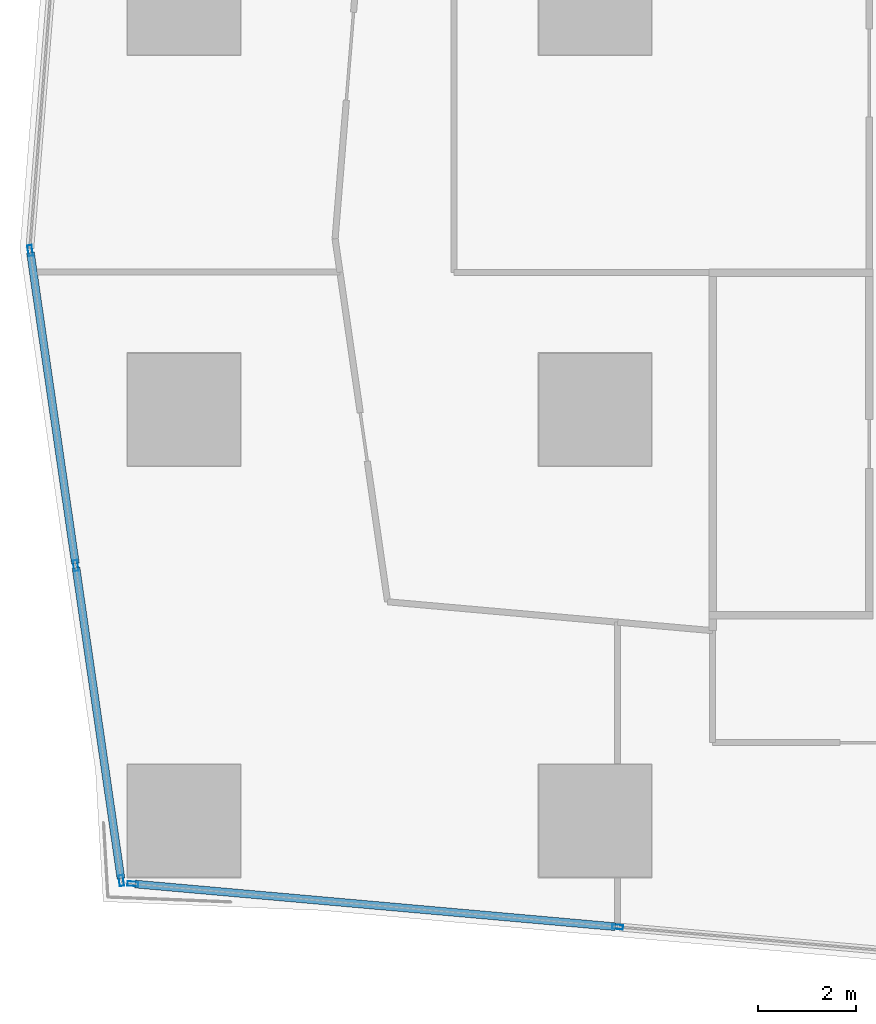
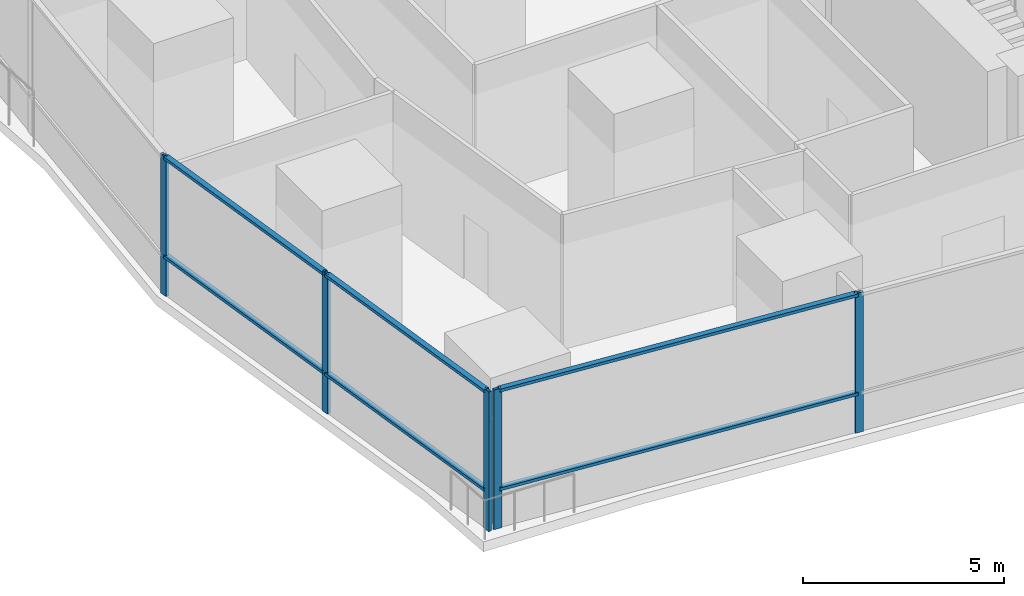
# One storey, part 2 of 39: 11 members, 2 elements without a shape of their own.
"""IFC4 building model written with IfcOpenShell, lengths in metres."""

import ifcopenshell
import ifcopenshell.guid

model = None  # the IFC model being written
_history = None  # IfcOwnerHistory: only IFC2X3 demands one
_inside = {}  # id of a spatial element -> (the spatial element, [elements in it])
_under = {}  # id of a project, library or spatial element -> (it, [spatial elements below it])
_declared = {}  # id of a project -> (the project, [libraries it declares])
_typed = {}  # id of a type object -> (the type object, [elements of that type])
_made_of = {}  # id of a material, layer set ... -> (it, [elements and type objects made of it])


def new_model(schema):
    """Start an empty IFC model of exactly this schema.

    Asked for "IFC4X3", IfcOpenShell would pick the latest addendum, in which some entities
    have other attributes; the version numbers below select the first issue.
    IFC2X3 requires an IfcOwnerHistory on every rooted entity: one is made here for all.
    """
    global model, _history
    if schema == "IFC4X3":
        model = ifcopenshell.file(schema_version=(4, 3, 0, 0))
    else:
        model = ifcopenshell.file(schema=schema)
    _inside.clear()
    _under.clear()
    _declared.clear()
    _typed.clear()
    _made_of.clear()
    _history = None
    if model.schema == "IFC2X3":
        org = make("IfcOrganization", Name="unknown")
        user = make(
            "IfcPersonAndOrganization",
            ThePerson=make("IfcPerson", FamilyName="unknown"),
            TheOrganization=org,
        )
        app = make(
            "IfcApplication",
            ApplicationDeveloper=org,
            Version="unknown",
            ApplicationFullName="unknown",
            ApplicationIdentifier="unknown",
        )
        _history = make(
            "IfcOwnerHistory",
            OwningUser=user,
            OwningApplication=app,
            ChangeAction="ADDED",
            CreationDate=0,
        )
    return model


def make(cls, **values):
    """One entity of the class cls with the attributes given. An attribute that is None is left unset."""
    return model.create_entity(
        cls, **{name: value for name, value in values.items() if value is not None}
    )


def rooted(cls, **values):
    """An entity with a GlobalId (a new one), such as an element, a storey or a relation."""
    return make(cls, GlobalId=ifcopenshell.guid.new(), OwnerHistory=_history, **values)


def si_unit(unit_type, name, prefix=None):
    """IfcSIUnit, for example si_unit("LENGTHUNIT", "METRE", prefix="MILLI")."""
    return make("IfcSIUnit", UnitType=unit_type, Prefix=prefix, Name=name)


def assignment(units):
    """IfcUnitAssignment: the units of a project."""
    return None if units is None else make("IfcUnitAssignment", Units=units)


def point(xyz):
    """IfcCartesianPoint."""
    return None if xyz is None else make("IfcCartesianPoint", Coordinates=xyz)


def direction(xyz):
    """IfcDirection."""
    return None if xyz is None else make("IfcDirection", DirectionRatios=xyz)


def frame(location, z_axis=None, x_axis=None):
    """IfcAxis2Placement3D, a coordinate frame: its origin and axes. An axis left out is left unset."""
    return make(
        "IfcAxis2Placement3D",
        Location=point(location),
        Axis=direction(z_axis),
        RefDirection=direction(x_axis),
    )


def frame_2d(location, x_axis=None):
    """IfcAxis2Placement2D, a coordinate frame in the plane: its origin and x axis."""
    return make(
        "IfcAxis2Placement2D", Location=point(location), RefDirection=direction(x_axis)
    )


def origin():
    """The frame at (0, 0, 0) with its axes left unset."""
    return frame((0.0, 0.0, 0.0))


def origin_2d():
    """The frame at (0, 0) in the plane with its x axis left unset."""
    return frame_2d((0.0, 0.0))


def place(relative_to, where):
    """IfcLocalPlacement: puts the frame where relative to a parent placement (None: the world)."""
    return make(
        "IfcLocalPlacement", PlacementRelTo=relative_to, RelativePlacement=where
    )


def context(
    kind, dimensions, precision=None, world=None, true_north=None, identifier=None
):
    """IfcGeometricRepresentationContext, for example the 3D "Model" context."""
    return make(
        "IfcGeometricRepresentationContext",
        ContextIdentifier=identifier,
        ContextType=kind,
        CoordinateSpaceDimension=dimensions,
        Precision=precision,
        WorldCoordinateSystem=world,
        TrueNorth=true_north,
    )


def subcontext(parent, identifier, kind, view, scale=None):
    """IfcGeometricRepresentationSubContext, for example "Body" below "Model"."""
    return make(
        "IfcGeometricRepresentationSubContext",
        ContextIdentifier=identifier,
        ContextType=kind,
        ParentContext=parent,
        TargetScale=scale,
        TargetView=view,
    )


def project(units=None, contexts=None):
    """IfcProject with its units and contexts."""
    return rooted(
        "IfcProject",
        Name="project",
        RepresentationContexts=contexts,
        UnitsInContext=assignment(units),
    )


def spatial(cls, under=None, at=None, **own):
    """A site, building, storey or space (cls), placed at a placement, below another one or the project."""
    s = rooted(cls, ObjectPlacement=at, **own)
    if under is not None:
        _under.setdefault(under.id(), (under, []))[1].append(s)
    return s


def profile(cls, at=None, kind="AREA", **sizes):
    """A parametric profile (cls). Its sizes go by their IFC names, for example OverallWidth=200.0."""
    return make(cls, ProfileType=kind, Position=at, **sizes)


def hollow_rectangle(**sizes):
    """IfcRectangleHollowProfileDef."""
    return profile("IfcRectangleHollowProfileDef", **sizes)


def extrude(swept, where, along, depth):
    """IfcExtrudedAreaSolid: the profile swept, set in the frame where, extruded along a direction by depth."""
    return make(
        "IfcExtrudedAreaSolid",
        SweptArea=swept,
        Position=where,
        ExtrudedDirection=direction(along),
        Depth=depth,
    )


def shape(context_of_items, identifier, shape_type, items):
    """IfcShapeRepresentation: the items that make up one representation, for example the "Body"."""
    return make(
        "IfcShapeRepresentation",
        ContextOfItems=context_of_items,
        RepresentationIdentifier=identifier,
        RepresentationType=shape_type,
        Items=items,
    )


def material(Name=None, Category=None):
    """IfcMaterial."""
    return make("IfcMaterial", Name=Name, Category=Category)


def material_profile(
    of_material, cross_section, Name=None, Category=None, Priority=None
):
    """IfcMaterialProfile: a cross section and its material."""
    return make(
        "IfcMaterialProfile",
        Name=Name,
        Material=of_material,
        Profile=cross_section,
        Priority=Priority,
        Category=Category,
    )


def profile_set(profiles, Name=None, composite=None):
    """IfcMaterialProfileSet."""
    return make(
        "IfcMaterialProfileSet",
        Name=Name,
        MaterialProfiles=profiles,
        CompositeProfile=composite,
    )


def made_of(thing, what):
    """Note that an element or type object is made of a material, layer set ...; save() writes the relation."""
    if what is not None:
        _made_of.setdefault(what.id(), (what, []))[1].append(thing)
    return thing


def type_object(cls, material=None, **own):
    """A type object (cls), such as IfcWallType, which elements share."""
    return made_of(rooted(cls, **own), material)


def element(
    cls,
    number,
    at=None,
    inside=None,
    cuts=None,
    type_object=None,
    material=None,
    context=None,
    identifier="Body",
    shape_type=None,
    held_by="IfcProductDefinitionShape",
    body=None,
    shapes=None,
    **own,
):
    """One element of the class cls, such as IfcWall. Its Tag is "e" and its number.

    at: its placement. inside: the storey or other place that contains it. cuts: it is an
    opening in that element (IfcRelVoidsElement). A single representation is given by context,
    identifier, shape_type and body (its items); several are given by shapes. held_by: the class
    of the entity that holds the representations. save() writes the other relations.
    """
    e = rooted(cls, Tag="e%d" % number, ObjectPlacement=at, **own)
    if body is not None:
        shapes = [shape(context, identifier, shape_type, body)]
    if shapes is not None:
        e.Representation = make(held_by, Representations=shapes)
    if inside is not None:
        _inside.setdefault(inside.id(), (inside, []))[1].append(e)
    if cuts is not None:
        rooted(
            "IfcRelVoidsElement", RelatingBuildingElement=cuts, RelatedOpeningElement=e
        )
    if type_object is not None:
        _typed.setdefault(type_object.id(), (type_object, []))[1].append(e)
    return made_of(e, material)


def aggregate(whole, parts):
    """IfcRelAggregates: a whole, such as a stair, and the parts it consists of."""
    return rooted("IfcRelAggregates", RelatingObject=whole, RelatedObjects=parts)


def save(model, path):
    """Write the relations noted so far, then the file.

    IfcRelAggregates (storeys below a building ...), IfcRelContainedInSpatialStructure (elements
    in a storey), IfcRelDefinesByType, IfcRelAssociatesMaterial and IfcRelDeclares: one each for
    every whole, place, type object, material and project.
    """
    for whole, parts in _under.values():
        aggregate(whole, parts)
    for where, things in _inside.values():
        rooted(
            "IfcRelContainedInSpatialStructure",
            RelatedElements=things,
            RelatingStructure=where,
        )
    for kind, things in _typed.values():
        rooted("IfcRelDefinesByType", RelatedObjects=things, RelatingType=kind)
    for what, things in _made_of.values():
        rooted("IfcRelAssociatesMaterial", RelatedObjects=things, RelatingMaterial=what)
    for by, libraries in _declared.values():
        rooted("IfcRelDeclares", RelatingContext=by, RelatedDefinitions=libraries)
    model.write(path)


model = new_model("IFC4")

# Units and contexts
model_context = context("Model", 3, precision=1e-05, world=origin(), true_north=direction((0.0, 1.0)))
body_context = subcontext(model_context, "Body", "Model", "MODEL_VIEW")
ifc_project = project(units=[si_unit("LENGTHUNIT", "METRE"), si_unit("AREAUNIT", "SQUARE_METRE"), si_unit("VOLUMEUNIT", "CUBIC_METRE"), si_unit("PLANEANGLEUNIT", "RADIAN"), si_unit("MASSUNIT", "GRAM", prefix="KILO")], contexts=[model_context])

# Site, building, storey
site_placement = place(None, origin())
site = spatial("IfcSite", under=ifc_project, at=site_placement, CompositionType="ELEMENT")
building_placement = place(site_placement, origin())
building = spatial("IfcBuilding", under=site, at=building_placement, Name="Rekha Terrace Tower", CompositionType="ELEMENT")
storey_placement = place(building_placement, frame((0.0, 0.0, 245.60009765625)))
storey = spatial("IfcBuildingStorey", under=building, at=storey_placement, Name="L62", CompositionType="ELEMENT", Elevation=245.60009765625)

# Curtain wall, members
ifc_material_1 = material(Name="Aluminium framing", Category="aluminium")
curtain_wall_type = type_object("IfcCurtainWallType", Name="CW5 sky garden glazing", PredefinedType="USERDEFINED", material=ifc_material_1)
curtain_wall_1_placement = place(storey_placement, origin())
curtain_wall_1 = element("IfcCurtainWall", 1, at=curtain_wall_1_placement, inside=storey, type_object=curtain_wall_type, Name="CW5 sky garden curtain wall", ObjectType="SKY GARDEN CURTAIN WALL", PredefinedType="USERDEFINED")
ifc_material_2 = material(Name="Aluminium mullion section", Category="aluminium")
ifc_material_profile_1 = material_profile(ifc_material_2, hollow_rectangle(XDim=0.090087890625, YDim=0.219970703125, WallThickness=0.00390625, at=origin_2d()), Name="AL RHS 90x220")
ifc_profile_set_1 = profile_set([ifc_material_profile_1], Name="Aluminium mullion section")
member_type_1 = type_object("IfcMemberType", Name="CW5 mullion RHS 90 x 220", PredefinedType="MULLION", material=ifc_profile_set_1)
member_1_placement = place(storey_placement, frame((7.35546875, 15.5146484375, 0.0), z_axis=(0.0, 0.0, 1.0), x_axis=(0.08852244144, 0.99607418266, 0.0)))
member_1 = element("IfcMember", 2, at=member_1_placement, type_object=member_type_1, Name="CW5 mullion 1", PredefinedType="MULLION", context=body_context, shape_type="SweptSolid", body=[
    extrude(hollow_rectangle(XDim=0.090087890625, YDim=0.219970703125, WallThickness=0.00390625, at=origin_2d()), origin(), (0.0, 0.0, 1.0), 4.25),
])
member_2_placement = place(storey_placement, frame((17.259033203125, 14.634521484375, 0.0), z_axis=(0.0, 0.0, 1.0), x_axis=(0.08852244144, 0.99607418266, 0.0)))
member_2 = element("IfcMember", 3, at=member_2_placement, type_object=member_type_1, Name="CW5 mullion 2", PredefinedType="MULLION", context=body_context, shape_type="SweptSolid", body=[
    extrude(hollow_rectangle(XDim=0.090087890625, YDim=0.219970703125, WallThickness=0.00390625, at=origin_2d()), origin(), (0.0, 0.0, 1.0), 4.25),
])

curtain_wall_2_placement = place(storey_placement, origin())
curtain_wall_2 = element("IfcCurtainWall", 4, at=curtain_wall_2_placement, inside=storey, type_object=curtain_wall_type, Name="CW5 sky garden curtain wall", ObjectType="SKY GARDEN CURTAIN WALL", PredefinedType="USERDEFINED")
member_3_placement = place(storey_placement, frame((5.257568359375, 28.45166015625, 0.0), z_axis=(0.0, 0.0, 1.0), x_axis=(0.989707031386, 0.143108322695, 0.0)))
member_3 = element("IfcMember", 5, at=member_3_placement, type_object=member_type_1, Name="CW5 mullion 1", PredefinedType="MULLION", context=body_context, shape_type="SweptSolid", body=[
    extrude(hollow_rectangle(XDim=0.090087890625, YDim=0.219970703125, WallThickness=0.00390625, at=origin_2d()), origin(), (0.0, 0.0, 1.0), 4.25),
])
member_4_placement = place(storey_placement, frame((6.188232421875, 22.015625, 0.0), z_axis=(0.0, 0.0, 1.0), x_axis=(0.989707031386, 0.143108322695, 0.0)))
member_4 = element("IfcMember", 6, at=member_4_placement, type_object=member_type_1, Name="CW5 mullion 2", PredefinedType="MULLION", context=body_context, shape_type="SweptSolid", body=[
    extrude(hollow_rectangle(XDim=0.090087890625, YDim=0.219970703125, WallThickness=0.00390625, at=origin_2d()), origin(), (0.0, 0.0, 1.0), 4.25),
])
member_5_placement = place(storey_placement, frame((7.118896484375, 15.579833984375, 0.0), z_axis=(0.0, 0.0, 1.0), x_axis=(0.989707031386, 0.143108322695, 0.0)))
member_5 = element("IfcMember", 7, at=member_5_placement, type_object=member_type_1, Name="CW5 mullion 3", PredefinedType="MULLION", context=body_context, shape_type="SweptSolid", body=[
    extrude(hollow_rectangle(XDim=0.090087890625, YDim=0.219970703125, WallThickness=0.00390625, at=origin_2d()), origin(), (0.0, 0.0, 1.0), 4.25),
])

# Member
ifc_material_3 = material(Name="Aluminium transom section", Category="aluminium")
ifc_material_profile_2 = material_profile(ifc_material_3, hollow_rectangle(XDim=0.159912109375, YDim=0.090087890625, WallThickness=0.0029296875, at=origin_2d()), Name="AL RHS 160x90")
ifc_profile_set_2 = profile_set([ifc_material_profile_2], Name="Aluminium transom section")
member_type_2 = type_object("IfcMemberType", Name="CW5 transom RHS 90 x 160", PredefinedType="USERDEFINED", material=ifc_profile_set_2)
member_6_placement = place(storey_placement, frame((7.400146484375, 15.5107421875, 1.199951171875), z_axis=(0.996075165559, -0.088511380949, 0.0), x_axis=(0.088511380949, 0.996075165559, 0.0)))
member_6 = element("IfcMember", 8, at=member_6_placement, type_object=member_type_2, Name="CW5 transom 1.2", ObjectType="TRANSOM", PredefinedType="USERDEFINED", context=body_context, shape_type="SweptSolid", body=[
    extrude(hollow_rectangle(XDim=0.159912109375, YDim=0.090087890625, WallThickness=0.0029296875, at=origin_2d()), origin(), (0.0, 0.0, 1.0), 9.8525390625),
])

member_7_placement = place(storey_placement, frame((7.400146484375, 15.5107421875, 4.204833984375), z_axis=(0.996075165559, -0.088511380949, 0.0), x_axis=(0.088511380949, 0.996075165559, 0.0)))
member_7 = element("IfcMember", 9, at=member_7_placement, type_object=member_type_2, Name="CW5 transom 1.3", ObjectType="TRANSOM", PredefinedType="USERDEFINED", context=body_context, shape_type="SweptSolid", body=[
    extrude(hollow_rectangle(XDim=0.159912109375, YDim=0.090087890625, WallThickness=0.0029296875, at=origin_2d()), origin(), (0.0, 0.0, 1.0), 9.8525390625),
])

aggregate(curtain_wall_1, [member_1, member_2, member_6, member_7])

member_8_placement = place(storey_placement, frame((5.26416015625, 28.4072265625, 1.199951171875), z_axis=(0.143105371205, -0.989707458157, 0.0), x_axis=(0.989707458157, 0.143105371205, 0.0)))
member_8 = element("IfcMember", 10, at=member_8_placement, type_object=member_type_2, Name="CW5 transom 1.2", ObjectType="TRANSOM", PredefinedType="USERDEFINED", context=body_context, shape_type="SweptSolid", body=[
    extrude(hollow_rectangle(XDim=0.159912109375, YDim=0.090087890625, WallThickness=0.0029296875, at=origin_2d()), origin(), (0.0, 0.0, 1.0), 6.412841796875),
])

member_9_placement = place(storey_placement, frame((5.26416015625, 28.4072265625, 4.204833984375), z_axis=(0.143105371205, -0.989707458157, 0.0), x_axis=(0.989707458157, 0.143105371205, 0.0)))
member_9 = element("IfcMember", 11, at=member_9_placement, type_object=member_type_2, Name="CW5 transom 1.3", ObjectType="TRANSOM", PredefinedType="USERDEFINED", context=body_context, shape_type="SweptSolid", body=[
    extrude(hollow_rectangle(XDim=0.159912109375, YDim=0.090087890625, WallThickness=0.0029296875, at=origin_2d()), origin(), (0.0, 0.0, 1.0), 6.412841796875),
])

member_10_placement = place(storey_placement, frame((6.194580078125, 21.97119140625, 1.199951171875), z_axis=(0.143105371205, -0.989707458157, 0.0), x_axis=(0.989707458157, 0.143105371205, 0.0)))
member_10 = element("IfcMember", 12, at=member_10_placement, type_object=member_type_2, Name="CW5 transom 2.2", ObjectType="TRANSOM", PredefinedType="USERDEFINED", context=body_context, shape_type="SweptSolid", body=[
    extrude(hollow_rectangle(XDim=0.159912109375, YDim=0.090087890625, WallThickness=0.0029296875, at=origin_2d()), origin(), (0.0, 0.0, 1.0), 6.412841796875),
])

member_11_placement = place(storey_placement, frame((6.194580078125, 21.97119140625, 4.204833984375), z_axis=(0.143105371205, -0.989707458157, 0.0), x_axis=(0.989707458157, 0.143105371205, 0.0)))
member_11 = element("IfcMember", 13, at=member_11_placement, type_object=member_type_2, Name="CW5 transom 2.3", ObjectType="TRANSOM", PredefinedType="USERDEFINED", context=body_context, shape_type="SweptSolid", body=[
    extrude(hollow_rectangle(XDim=0.159912109375, YDim=0.090087890625, WallThickness=0.0029296875, at=origin_2d()), origin(), (0.0, 0.0, 1.0), 6.412841796875),
])

aggregate(curtain_wall_2, [member_3, member_4, member_5, member_8, member_9, member_10, member_11])

save(model, "model.ifc")
